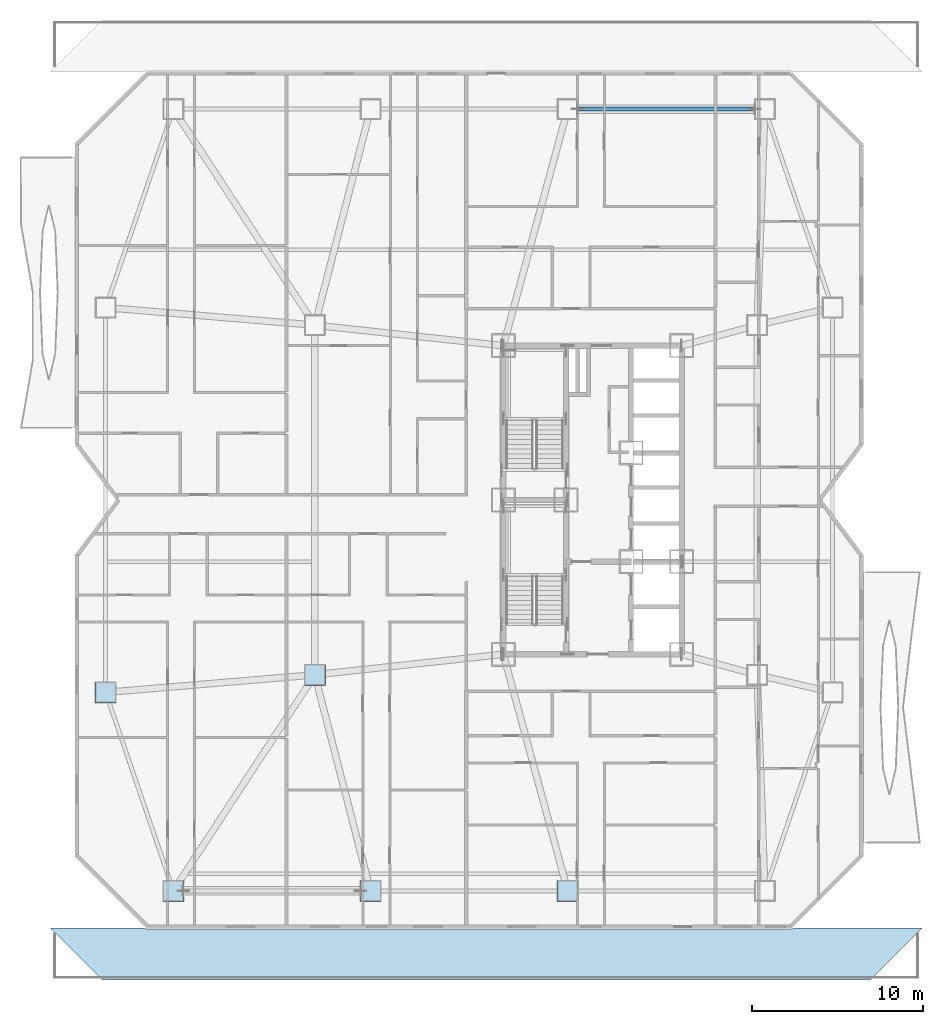
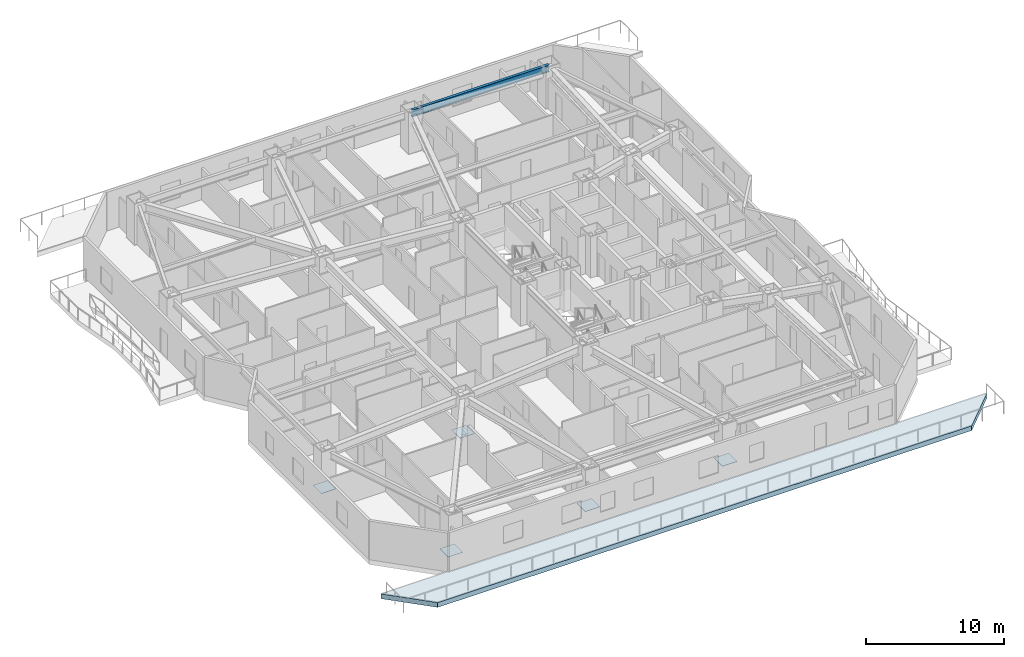
# One storey, part 2 of 18: 5 plates, 1 beam, 1 slab.
"""IFC4 building model written with IfcOpenShell, lengths in metres."""

from ifc_helpers import new_model, si_unit, direction, frame, origin, origin_2d, place, context, subcontext, project, spatial, polyline, rectangle, i_section, outline, extrude, material, layer, layer_set, material_profile, profile_set, type_object, element, save


model = new_model("IFC4")

# Units and contexts
model_context = context("Model", 3, precision=1e-05, world=origin(), true_north=direction((0.0, 1.0)))
body_context = subcontext(model_context, "Body", "Model", "MODEL_VIEW")
ifc_project = project(units=[si_unit("LENGTHUNIT", "METRE"), si_unit("AREAUNIT", "SQUARE_METRE"), si_unit("VOLUMEUNIT", "CUBIC_METRE"), si_unit("PLANEANGLEUNIT", "RADIAN"), si_unit("MASSUNIT", "GRAM", prefix="KILO")], contexts=[model_context])

# Site, building, storey
site_placement = place(None, origin())
site = spatial("IfcSite", under=ifc_project, at=site_placement, CompositionType="ELEMENT")
building_placement = place(site_placement, origin())
building = spatial("IfcBuilding", under=site, at=building_placement, Name="Khamvora Tower", CompositionType="ELEMENT")
storey_placement = place(building_placement, frame((0.0, 0.0, 33.300048828125)))
storey = spatial("IfcBuildingStorey", under=building, at=storey_placement, Name="L07", CompositionType="ELEMENT", Elevation=33.300048828125)

# Beam
ifc_material_1 = material(Name="Steel S355", Category="steel")
ifc_material_profile = material_profile(ifc_material_1, i_section(OverallWidth=0.22998046875, OverallDepth=0.616943359375, WebThickness=0.012939453125, FlangeThickness=0.02197265625, FilletRadius=0.013916015625, at=origin_2d()), Name="W610x140")
ifc_profile_set = profile_set([ifc_material_profile], Name="Steel S355")
beam_type = type_object("IfcBeamType", Name="BM-SP-W610x140", PredefinedType="SPANDREL", material=ifc_profile_set)
beam_placement = place(storey_placement, frame((44.25, 50.800048828125, 3.120849609375), z_axis=(-1.0, 0.0, 0.0), x_axis=(0.0, -1.0, 0.0)))
element("IfcBeam", 1, at=beam_placement, inside=storey, type_object=beam_type, Name="L07 perimeter spandrel beam N4-N3", PredefinedType="SPANDREL", context=body_context, shape_type="SweptSolid", body=[
    extrude(i_section(OverallWidth=0.22998046875, OverallDepth=0.616943359375, WebThickness=0.012939453125, FlangeThickness=0.02197265625, FilletRadius=0.013916015625, at=origin_2d()), origin(), (0.0, 0.0, 1.0), 11.5),
])

# Plates
ifc_layer_1 = layer(ifc_material_1, 0.02490234375)
ifc_layer_set_1 = layer_set([ifc_layer_1], Name="Steel S355")
plate_type = type_object("IfcPlateType", Name="PL-CAP-25", PredefinedType="SHEET", material=ifc_layer_set_1)
for number, where, z_axis, x_axis, name in (
    (2, (9.75, 5.199951171875, -0.00048828125), (0.0, 0.0, 1.0), (1.0, 0.0, 0.0), "L07 hollow section steel end cap plate 0080"),
    (3, (21.25, 5.199951171875, -0.00048828125), (0.0, 0.0, 1.0), (1.0, 0.0, 0.0), "L07 hollow section steel end cap plate 0084"),
    (4, (32.75, 5.199951171875, -0.00048828125), (0.0, 0.0, 1.0), (1.0, 0.0, 0.0), "L07 hollow section steel end cap plate 0088"),
    (5, (5.800048828125, 16.77001953125, -0.00048828125), (0.0, 0.0, 1.0), (1.0, 0.0, 0.0), "L07 hollow section steel end cap plate 0112"),
    (6, (18.0, 17.800048828125, -0.00048828125), (0.0, 0.0, 1.0), (1.0, 0.0, 0.0), "L07 hollow section steel end cap plate 0128"),
):
    element("IfcPlate", number, at=place(storey_placement, frame(where, z_axis=z_axis, x_axis=x_axis)), inside=storey, type_object=plate_type, Name=name, PredefinedType="SHEET", context=body_context, shape_type="SweptSolid", body=[
        extrude(rectangle(XDim=1.22998046875, YDim=1.22998046875, at=origin_2d()), origin(), (0.0, 0.0, 1.0), 0.02490234375),
    ])

# Slab
ifc_material_2 = material(Name="Concrete C40/50", Category="concrete")
ifc_layer_2 = layer(ifc_material_2, 0.419921875)
ifc_layer_set_2 = layer_set([ifc_layer_2], Name="Concrete C40/50")
slab_type = type_object("IfcSlabType", Name="SLB-GRD-420", PredefinedType="FLOOR", material=ifc_layer_set_2)
slab_placement = place(storey_placement, frame((0.0, 0.0, -0.420166015625)))
element("IfcSlab", 7, at=slab_placement, inside=storey, type_object=slab_type, Name="Stepped outdoor roof terrace slab 1", PredefinedType="FLOOR", context=body_context, shape_type="SweptSolid", body=[
    extrude(outline(polyline([(50.39990234375, 0.0), (5.60009765625, 0.0), (2.580078125, 3.02001953125), (8.094970703125, 3.02001953125), (8.157958984375, 2.9580078125), (8.162109375, 2.9541015625), (8.1669921875, 2.949951171875), (8.172119140625, 2.947021484375), (8.177001953125, 2.945068359375), (8.18310546875, 2.943115234375), (8.18798828125, 2.94091796875), (8.194091796875, 2.93994140625), (8.199951171875, 2.93994140625), (45.800048828125, 2.93994140625), (45.805908203125, 2.93994140625), (45.81201171875, 2.94091796875), (45.81689453125, 2.943115234375), (45.822998046875, 2.945068359375), (45.827880859375, 2.947021484375), (45.8330078125, 2.949951171875), (45.837890625, 2.9541015625), (45.842041015625, 2.9580078125), (45.905029296875, 3.02001953125), (53.419921875, 3.02001953125), (50.39990234375, 0.0)])), origin(), (0.0, 0.0, 1.0), 0.420166015625),
])

save(model, "model.ifc")
